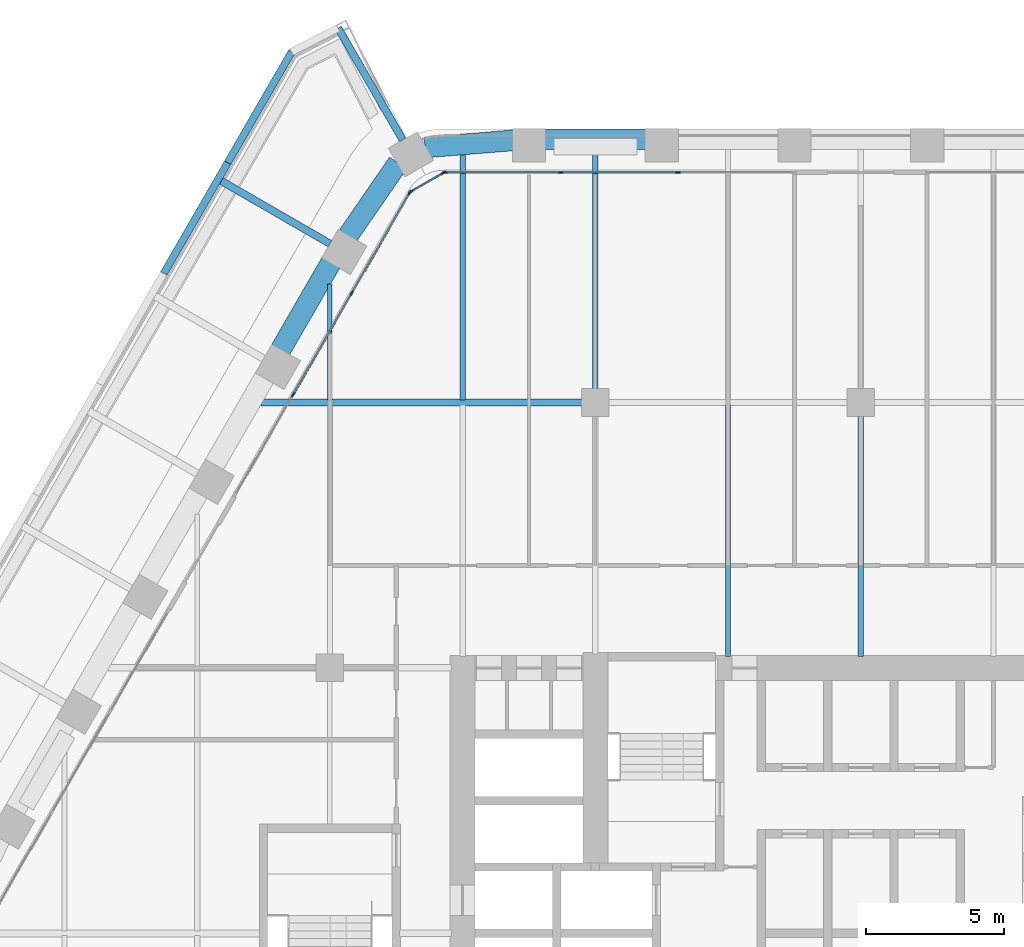
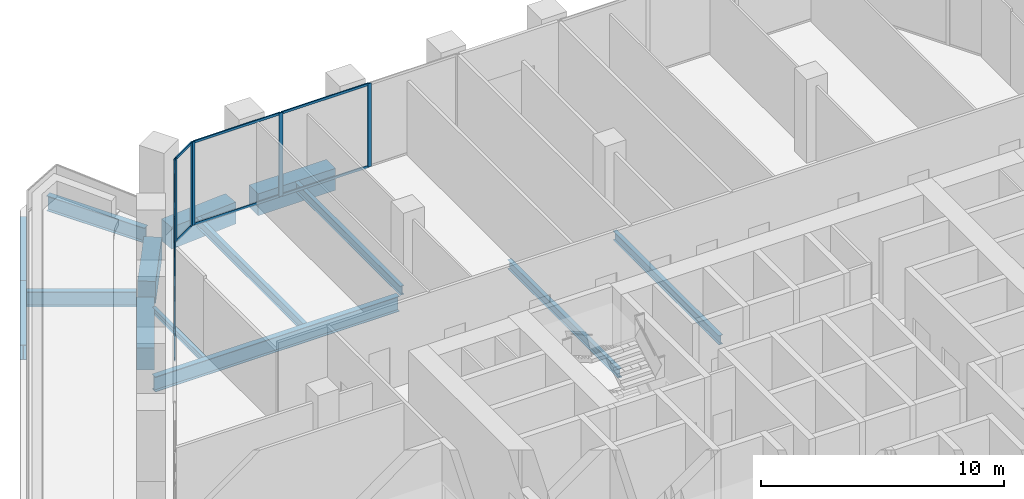
# One storey, part 8 of 27: 18 members, 14 beams, 3 elements without a shape of their own.
"""IFC4 building model written with IfcOpenShell, lengths in metres."""

from ifc_helpers import new_model, si_unit, direction, frame, origin, origin_2d, place, context, subcontext, project, spatial, rectangle, i_section, extrude, material, material_profile, profile_set, type_object, element, aggregate, save


model = new_model("IFC4")

# Units and contexts
model_context = context("Model", 3, precision=1e-05, world=origin(), true_north=direction((0.0, 1.0)))
body_context = subcontext(model_context, "Body", "Model", "MODEL_VIEW")
ifc_project = project(units=[si_unit("LENGTHUNIT", "METRE"), si_unit("AREAUNIT", "SQUARE_METRE"), si_unit("VOLUMEUNIT", "CUBIC_METRE"), si_unit("PLANEANGLEUNIT", "RADIAN"), si_unit("MASSUNIT", "GRAM", prefix="KILO")], contexts=[model_context])

# Site, building, storey
site_placement = place(None, origin())
site = spatial("IfcSite", under=ifc_project, at=site_placement, CompositionType="ELEMENT")
building_placement = place(site_placement, origin())
building = spatial("IfcBuilding", under=site, at=building_placement, Name="Kolab Exchange Tower", CompositionType="ELEMENT")
storey_placement = place(building_placement, frame((0.0, 0.0, 122.89990234375)))
storey = spatial("IfcBuildingStorey", under=building, at=storey_placement, Name="L24", CompositionType="ELEMENT", Elevation=122.89990234375)

# Beams
ifc_material_1 = material(Name="Steel S355", Category="steel")
ifc_material_profile_1 = material_profile(ifc_material_1, i_section(OverallWidth=0.1650390625, OverallDepth=0.31005859375, WebThickness=0.005859375, FlangeThickness=0.009765625, at=origin_2d()), Name="W310X39")
ifc_profile_set_1 = profile_set([ifc_material_profile_1], Name="Steel S355")
beam_type_1 = type_object("IfcBeamType", Name="FLOOR BEAM W310X39", PredefinedType="BEAM", material=ifc_profile_set_1)
beam_1_placement = place(storey_placement, frame((-19.199951171875, 19.29345703125, -0.35498046875), z_axis=(0.0, 1.0, 0.0), x_axis=(-1.0, 0.0, 0.0)))
element("IfcBeam", 1, at=beam_1_placement, inside=storey, type_object=beam_type_1, Name="beam/L24/fr/011", PredefinedType="BEAM", context=body_context, shape_type="SweptSolid", body=[
    extrude(i_section(OverallWidth=0.1650390625, OverallDepth=0.31005859375, WebThickness=0.005859375, FlangeThickness=0.009765625, at=origin_2d()), origin(), (0.0, 0.0, 1.0), 4.18798828125),
])
ifc_material_profile_2 = material_profile(ifc_material_1, i_section(OverallWidth=0.18994140625, OverallDepth=0.45703125, WebThickness=0.009033203125, FlangeThickness=0.014404296875, at=origin_2d()), Name="W460X74")
ifc_profile_set_2 = profile_set([ifc_material_profile_2], Name="Steel S355")
beam_type_2 = type_object("IfcBeamType", Name="FLOOR BEAM W460X74", PredefinedType="BEAM", material=ifc_profile_set_2)
beam_2_placement = place(storey_placement, frame((-14.39990234375, 19.29345703125, -0.428466796875), z_axis=(0.0, 1.0, 0.0), x_axis=(-1.0, 0.0, 0.0)))
element("IfcBeam", 2, at=beam_2_placement, inside=storey, type_object=beam_type_2, Name="beam/L24/fr/015", PredefinedType="BEAM", context=body_context, shape_type="SweptSolid", body=[
    extrude(i_section(OverallWidth=0.18994140625, OverallDepth=0.45703125, WebThickness=0.009033203125, FlangeThickness=0.014404296875, at=origin_2d()), origin(), (0.0, 0.0, 1.0), 8.901123046875),
])
beam_3_placement = place(storey_placement, frame((-9.60009765625, 19.659912109375, -0.428466796875), z_axis=(0.0, 1.0, 0.0), x_axis=(-1.0, 0.0, 0.0)))
element("IfcBeam", 3, at=beam_3_placement, inside=storey, type_object=beam_type_2, Name="beam/L24/fr/019", PredefinedType="BEAM", context=body_context, shape_type="SweptSolid", body=[
    extrude(i_section(OverallWidth=0.18994140625, OverallDepth=0.45703125, WebThickness=0.009033203125, FlangeThickness=0.014404296875, at=origin_2d()), origin(), (0.0, 0.0, 1.0), 8.728515625),
])
beam_4_placement = place(storey_placement, frame((-4.800048828125, 10.010009765625, -0.428466796875), z_axis=(0.0, 1.0, 0.0), x_axis=(-1.0, 0.0, 0.0)))
element("IfcBeam", 4, at=beam_4_placement, inside=storey, type_object=beam_type_2, Name="beam/L24/fr/022", PredefinedType="BEAM", context=body_context, shape_type="SweptSolid", body=[
    extrude(i_section(OverallWidth=0.18994140625, OverallDepth=0.45703125, WebThickness=0.009033203125, FlangeThickness=0.014404296875, at=origin_2d()), origin(), (0.0, 0.0, 1.0), 9.115966796875),
])
beam_5_placement = place(storey_placement, frame((0.0, 10.010009765625, -0.428466796875), z_axis=(0.0, 1.0, 0.0), x_axis=(-1.0, 0.0, 0.0)))
element("IfcBeam", 5, at=beam_5_placement, inside=storey, type_object=beam_type_2, Name="beam/L24/fr/026", PredefinedType="BEAM", context=body_context, shape_type="SweptSolid", body=[
    extrude(i_section(OverallWidth=0.18994140625, OverallDepth=0.45703125, WebThickness=0.009033203125, FlangeThickness=0.014404296875, at=origin_2d()), origin(), (0.0, 0.0, 1.0), 8.72998046875),
])
ifc_material_profile_3 = material_profile(ifc_material_1, i_section(OverallWidth=0.26708984375, OverallDepth=0.761962890625, WebThickness=0.014404296875, FlangeThickness=0.021484375, at=origin_2d()), Name="W760X173")
ifc_profile_set_3 = profile_set([ifc_material_profile_3], Name="Steel S355")
beam_type_3 = type_object("IfcBeamType", Name="FLOOR GIRDER W760X173", PredefinedType="BEAM", material=ifc_profile_set_3)
beam_6_placement = place(storey_placement, frame((-21.688720703125, 19.199951171875, -0.580810546875), z_axis=(1.0, 0.0, 0.0), x_axis=(0.0, 1.0, 0.0)))
element("IfcBeam", 6, at=beam_6_placement, inside=storey, type_object=beam_type_3, Name="beam/L24/gd/004", PredefinedType="BEAM", context=body_context, shape_type="SweptSolid", body=[
    extrude(i_section(OverallWidth=0.26708984375, OverallDepth=0.761962890625, WebThickness=0.014404296875, FlangeThickness=0.021484375, at=origin_2d()), origin(), (0.0, 0.0, 1.0), 11.628662109375),
])
beam_7_placement = place(storey_placement, frame((-19.199951171875, 24.94140625, -0.640869140625), z_axis=(-0.866020560687, 0.500008388397, 0.0), x_axis=(-0.500008388397, -0.866020560687, 0.0)))
element("IfcBeam", 7, at=beam_7_placement, inside=storey, type_object=beam_type_3, Name="beam/L24/ledge/rib-13", PredefinedType="BEAM", context=body_context, shape_type="SweptSolid", body=[
    extrude(i_section(OverallWidth=0.26708984375, OverallDepth=0.761962890625, WebThickness=0.014404296875, FlangeThickness=0.021484375, at=origin_2d()), origin(), (0.0, 0.0, 1.0), 4.533203125),
])
beam_8_placement = place(storey_placement, frame((-16.56787109375, 28.696533203125, -0.640869140625), z_axis=(-0.500004747635, 0.866022662719, 0.0), x_axis=(-0.866022662719, -0.500004747635, 0.0)))
element("IfcBeam", 8, at=beam_8_placement, inside=storey, type_object=beam_type_3, Name="beam/L24/ledge/rib-14", PredefinedType="BEAM", context=body_context, shape_type="SweptSolid", body=[
    extrude(i_section(OverallWidth=0.26708984375, OverallDepth=0.761962890625, WebThickness=0.014404296875, FlangeThickness=0.021484375, at=origin_2d()), origin(), (0.0, 0.0, 1.0), 4.66650390625),
])
beam_9_placement = place(storey_placement, frame((-25.20849609375, 23.867431640625, -0.640869140625), z_axis=(0.500001304485, 0.866024650639, 0.0), x_axis=(-0.866024650639, 0.500001304485, 0.0)))
element("IfcBeam", 9, at=beam_9_placement, inside=storey, type_object=beam_type_3, Name="beam/L24/ledge/edge-15", PredefinedType="BEAM", context=body_context, shape_type="SweptSolid", body=[
    extrude(i_section(OverallWidth=0.26708984375, OverallDepth=0.761962890625, WebThickness=0.014404296875, FlangeThickness=0.021484375, at=origin_2d()), origin(), (0.0, 0.0, 1.0), 4.623046875),
])
beam_10_placement = place(storey_placement, frame((-22.89697265625, 27.87109375, -0.640869140625), z_axis=(0.499978438088, 0.866037852202, 0.0), x_axis=(-0.866037852202, 0.499978438088, 0.0)))
element("IfcBeam", 10, at=beam_10_placement, inside=storey, type_object=beam_type_3, Name="beam/L24/ledge/edge-16", PredefinedType="BEAM", context=body_context, shape_type="SweptSolid", body=[
    extrude(i_section(OverallWidth=0.26708984375, OverallDepth=0.761962890625, WebThickness=0.014404296875, FlangeThickness=0.021484375, at=origin_2d()), origin(), (0.0, 0.0, 1.0), 4.623291015625),
])
ifc_material_2 = material(Name="Concrete C70/85", Category="concrete")
ifc_material_profile_4 = material_profile(ifc_material_2, rectangle(XDim=0.75, YDim=1.10009765625, at=origin_2d()), Name="RC750X1100")
ifc_profile_set_4 = profile_set([ifc_material_profile_4], Name="Concrete C70/85")
beam_type_4 = type_object("IfcBeamType", Name="SPANDREL BEAM 750X1100 C70/85", PredefinedType="BEAM", material=ifc_profile_set_4)
beam_11_placement = place(storey_placement, frame((-15.75830078125, 28.421630859375, -0.75), z_axis=(0.996791038408, 0.080047646748, 0.0), x_axis=(-0.080047646748, 0.996791038408, 0.0)))
element("IfcBeam", 11, at=beam_11_placement, inside=storey, type_object=beam_type_4, Name="beam/L24/sp/F1-01", PredefinedType="BEAM", context=body_context, shape_type="SweptSolid", body=[
    extrude(rectangle(XDim=0.75, YDim=1.10009765625, at=origin_2d()), origin(), (0.0, 0.0, 1.0), 3.20849609375),
])
beam_12_placement = place(storey_placement, frame((-11.43994140625, 28.723388671875, -0.75), z_axis=(1.0, 0.0, 0.0), x_axis=(0.0, 1.0, 0.0)))
element("IfcBeam", 12, at=beam_12_placement, inside=storey, type_object=beam_type_4, Name="beam/L24/sp/F1-02", PredefinedType="BEAM", context=body_context, shape_type="SweptSolid", body=[
    extrude(rectangle(XDim=0.75, YDim=1.10009765625, at=origin_2d()), origin(), (0.0, 0.0, 1.0), 3.679931640625),
])
beam_13_placement = place(storey_placement, frame((-20.995361328125, 21.08203125, -0.75), z_axis=(0.500013413428, 0.866017659399, 0.0), x_axis=(-0.866017659399, 0.500013413428, 0.0)))
element("IfcBeam", 13, at=beam_13_placement, inside=storey, type_object=beam_type_4, Name="beam/L24/sp/F6-06", PredefinedType="BEAM", context=body_context, shape_type="SweptSolid", body=[
    extrude(rectangle(XDim=0.75, YDim=1.10009765625, at=origin_2d()), origin(), (0.0, 0.0, 1.0), 3.68017578125),
])
beam_14_placement = place(storey_placement, frame((-18.55615234375, 25.216552734375, -0.75), z_axis=(0.567661826262, 0.823261836237, 0.0), x_axis=(-0.823261836237, 0.567661826262, 0.0)))
element("IfcBeam", 14, at=beam_14_placement, inside=storey, type_object=beam_type_4, Name="beam/L24/sp/F6-07", PredefinedType="BEAM", context=body_context, shape_type="SweptSolid", body=[
    extrude(rectangle(XDim=0.75, YDim=1.10009765625, at=origin_2d()), origin(), (0.0, 0.0, 1.0), 3.20849609375),
])

# Curtain wall, members
ifc_material_3 = material(Name="Aluminium EN AW-6063 T6", Category="aluminium")
curtain_wall_type = type_object("IfcCurtainWallType", Name="UNITISED LOWER MID ZONE CURTAIN WALL", PredefinedType="NOTDEFINED", material=ifc_material_3)
curtain_wall_1_placement = place(storey_placement, origin())
curtain_wall_1 = element("IfcCurtainWall", 15, at=curtain_wall_1_placement, inside=storey, type_object=curtain_wall_type, Name="cw/L24/F1-1", PredefinedType="NOTDEFINED")
ifc_material_profile_5 = material_profile(ifc_material_3, rectangle(XDim=0.06005859375, YDim=0.179931640625, at=origin_2d()), Name="RECT 60X180")
ifc_profile_set_5 = profile_set([ifc_material_profile_5], Name="Aluminium EN AW-6063 T6")
member_type_1 = type_object("IfcMemberType", Name="UNITISED LOWER MID ZONE MULLION 60 X 180", PredefinedType="MULLION", material=ifc_profile_set_5)
member_1_placement = place(storey_placement, frame((-15.037841796875, 27.5185546875, 0.0), z_axis=(0.0, 0.0, 1.0), x_axis=(0.0, 1.0, 0.0)))
member_1 = element("IfcMember", 16, at=member_1_placement, type_object=member_type_1, Name="CW2 mullion 1", PredefinedType="MULLION", context=body_context, shape_type="SweptSolid", body=[
    extrude(rectangle(XDim=0.06005859375, YDim=0.179931640625, at=origin_2d()), origin(), (0.0, 0.0, 1.0), 4.2001953125),
])
member_2_placement = place(storey_placement, frame((-10.84521484375, 27.5185546875, 0.0), z_axis=(0.0, 0.0, 1.0), x_axis=(0.0, 1.0, 0.0)))
member_2 = element("IfcMember", 17, at=member_2_placement, type_object=member_type_1, Name="CW2 mullion 2", PredefinedType="MULLION", context=body_context, shape_type="SweptSolid", body=[
    extrude(rectangle(XDim=0.06005859375, YDim=0.179931640625, at=origin_2d()), origin(), (0.0, 0.0, 1.0), 4.2001953125),
])
member_3_placement = place(storey_placement, frame((-6.62255859375, 27.5185546875, 0.0), z_axis=(0.0, 0.0, 1.0), x_axis=(0.0, 1.0, 0.0)))
member_3 = element("IfcMember", 18, at=member_3_placement, type_object=member_type_1, Name="CW2 mullion 3", PredefinedType="MULLION", context=body_context, shape_type="SweptSolid", body=[
    extrude(rectangle(XDim=0.06005859375, YDim=0.179931640625, at=origin_2d()), origin(), (0.0, 0.0, 1.0), 4.2001953125),
])

curtain_wall_2_placement = place(storey_placement, origin())
curtain_wall_2 = element("IfcCurtainWall", 19, at=curtain_wall_2_placement, inside=storey, type_object=curtain_wall_type, Name="cw/L24/F6-2", PredefinedType="NOTDEFINED")
member_4_placement = place(storey_placement, frame((-20.520263671875, 19.49462890625, 0.0), z_axis=(0.0, 0.0, 1.0), x_axis=(-0.866025393644, 0.500000017564, 0.0)))
member_4 = element("IfcMember", 20, at=member_4_placement, type_object=member_type_1, Name="CW2 mullion 2", PredefinedType="MULLION", context=body_context, shape_type="SweptSolid", body=[
    extrude(rectangle(XDim=0.06005859375, YDim=0.179931640625, at=origin_2d()), origin(), (0.0, 0.0, 1.0), 4.2001953125),
])
member_5_placement = place(storey_placement, frame((-18.408935546875, 23.151611328125, 0.0), z_axis=(0.0, 0.0, 1.0), x_axis=(-0.866025393644, 0.500000017564, 0.0)))
member_5 = element("IfcMember", 21, at=member_5_placement, type_object=member_type_1, Name="CW2 mullion 3", PredefinedType="MULLION", context=body_context, shape_type="SweptSolid", body=[
    extrude(rectangle(XDim=0.06005859375, YDim=0.179931640625, at=origin_2d()), origin(), (0.0, 0.0, 1.0), 4.2001953125),
])
member_6_placement = place(storey_placement, frame((-16.312744140625, 26.782470703125, 0.0), z_axis=(0.0, 0.0, 1.0), x_axis=(-0.866025393644, 0.500000017564, 0.0)))
member_6 = element("IfcMember", 22, at=member_6_placement, type_object=member_type_1, Name="CW2 mullion 4", PredefinedType="MULLION", context=body_context, shape_type="SweptSolid", body=[
    extrude(rectangle(XDim=0.06005859375, YDim=0.179931640625, at=origin_2d()), origin(), (0.0, 0.0, 1.0), 4.2001953125),
])

curtain_wall_3_placement = place(storey_placement, origin())
curtain_wall_3 = element("IfcCurtainWall", 23, at=curtain_wall_3_placement, inside=storey, type_object=curtain_wall_type, Name="cw/L24/F6F1-corner", PredefinedType="NOTDEFINED")
member_7_placement = place(storey_placement, frame((-16.271728515625, 26.823486328125, 0.0), z_axis=(0.0, 0.0, 1.0), x_axis=(-0.50000002237, 0.866025390869, 0.0)))
member_7 = element("IfcMember", 24, at=member_7_placement, type_object=member_type_1, Name="CW2 mullion 1", PredefinedType="MULLION", context=body_context, shape_type="SweptSolid", body=[
    extrude(rectangle(XDim=0.06005859375, YDim=0.179931640625, at=origin_2d()), origin(), (0.0, 0.0, 1.0), 4.2001953125),
])
member_8_placement = place(storey_placement, frame((-15.093994140625, 27.50341796875, 0.0), z_axis=(0.0, 0.0, 1.0), x_axis=(-0.50000002237, 0.866025390869, 0.0)))
member_8 = element("IfcMember", 25, at=member_8_placement, type_object=member_type_1, Name="CW2 mullion 2", PredefinedType="MULLION", context=body_context, shape_type="SweptSolid", body=[
    extrude(rectangle(XDim=0.06005859375, YDim=0.179931640625, at=origin_2d()), origin(), (0.0, 0.0, 1.0), 4.2001953125),
])

# Member
ifc_material_profile_6 = material_profile(ifc_material_3, rectangle(XDim=0.06005859375, YDim=0.1201171875, at=origin_2d()), Name="RECT 60X120")
ifc_profile_set_6 = profile_set([ifc_material_profile_6], Name="Aluminium EN AW-6063 T6")
member_type_2 = type_object("IfcMemberType", Name="UNITISED LOWER MID ZONE TRANSOM 60 X 120", PredefinedType="USERDEFINED", material=ifc_profile_set_6)
member_9_placement = place(storey_placement, frame((-15.008056640625, 27.5185546875, 0.030029296875), z_axis=(1.0, 0.0, 0.0), x_axis=(0.0, 1.0, 0.0)))
member_9 = element("IfcMember", 26, at=member_9_placement, type_object=member_type_2, Name="CW2 transom 1.1", ObjectType="TRANSOM", PredefinedType="USERDEFINED", context=body_context, shape_type="SweptSolid", body=[
    extrude(rectangle(XDim=0.06005859375, YDim=0.1201171875, at=origin_2d()), origin(), (0.0, 0.0, 1.0), 4.1328125),
])

member_10_placement = place(storey_placement, frame((-15.008056640625, 27.5185546875, 4.170166015625), z_axis=(1.0, 0.0, 0.0), x_axis=(0.0, 1.0, 0.0)))
member_10 = element("IfcMember", 27, at=member_10_placement, type_object=member_type_2, Name="CW2 transom 1.2", ObjectType="TRANSOM", PredefinedType="USERDEFINED", context=body_context, shape_type="SweptSolid", body=[
    extrude(rectangle(XDim=0.06005859375, YDim=0.1201171875, at=origin_2d()), origin(), (0.0, 0.0, 1.0), 4.1328125),
])

member_11_placement = place(storey_placement, frame((-10.815185546875, 27.5185546875, 0.030029296875), z_axis=(1.0, 0.0, 0.0), x_axis=(0.0, 1.0, 0.0)))
member_11 = element("IfcMember", 28, at=member_11_placement, type_object=member_type_2, Name="CW2 transom 2.1", ObjectType="TRANSOM", PredefinedType="USERDEFINED", context=body_context, shape_type="SweptSolid", body=[
    extrude(rectangle(XDim=0.06005859375, YDim=0.1201171875, at=origin_2d()), origin(), (0.0, 0.0, 1.0), 4.16259765625),
])

member_12_placement = place(storey_placement, frame((-10.815185546875, 27.5185546875, 4.170166015625), z_axis=(1.0, 0.0, 0.0), x_axis=(0.0, 1.0, 0.0)))
member_12 = element("IfcMember", 29, at=member_12_placement, type_object=member_type_2, Name="CW2 transom 2.2", ObjectType="TRANSOM", PredefinedType="USERDEFINED", context=body_context, shape_type="SweptSolid", body=[
    extrude(rectangle(XDim=0.06005859375, YDim=0.1201171875, at=origin_2d()), origin(), (0.0, 0.0, 1.0), 4.16259765625),
])

aggregate(curtain_wall_1, [member_1, member_2, member_3, member_9, member_10, member_11, member_12])

member_13_placement = place(storey_placement, frame((-20.50537109375, 19.5205078125, 0.030029296875), z_axis=(0.49999322259, 0.866029316688, 0.0), x_axis=(-0.866029316688, 0.49999322259, 0.0)))
member_13 = element("IfcMember", 30, at=member_13_placement, type_object=member_type_2, Name="CW2 transom 2.1", ObjectType="TRANSOM", PredefinedType="USERDEFINED", context=body_context, shape_type="SweptSolid", body=[
    extrude(rectangle(XDim=0.06005859375, YDim=0.1201171875, at=origin_2d()), origin(), (0.0, 0.0, 1.0), 4.16259765625),
])

member_14_placement = place(storey_placement, frame((-20.50537109375, 19.5205078125, 4.170166015625), z_axis=(0.49999322259, 0.866029316688, 0.0), x_axis=(-0.866029316688, 0.49999322259, 0.0)))
member_14 = element("IfcMember", 31, at=member_14_placement, type_object=member_type_2, Name="CW2 transom 2.2", ObjectType="TRANSOM", PredefinedType="USERDEFINED", context=body_context, shape_type="SweptSolid", body=[
    extrude(rectangle(XDim=0.06005859375, YDim=0.1201171875, at=origin_2d()), origin(), (0.0, 0.0, 1.0), 4.16259765625),
])

member_15_placement = place(storey_placement, frame((-18.39404296875, 23.177490234375, 0.030029296875), z_axis=(0.500001996123, 0.866024251319, 0.0), x_axis=(-0.866024251319, 0.500001996123, 0.0)))
member_15 = element("IfcMember", 32, at=member_15_placement, type_object=member_type_2, Name="CW2 transom 3.1", ObjectType="TRANSOM", PredefinedType="USERDEFINED", context=body_context, shape_type="SweptSolid", body=[
    extrude(rectangle(XDim=0.06005859375, YDim=0.1201171875, at=origin_2d()), origin(), (0.0, 0.0, 1.0), 4.1328125),
])

member_16_placement = place(storey_placement, frame((-18.39404296875, 23.177490234375, 4.170166015625), z_axis=(0.500001996123, 0.866024251319, 0.0), x_axis=(-0.866024251319, 0.500001996123, 0.0)))
member_16 = element("IfcMember", 33, at=member_16_placement, type_object=member_type_2, Name="CW2 transom 3.2", ObjectType="TRANSOM", PredefinedType="USERDEFINED", context=body_context, shape_type="SweptSolid", body=[
    extrude(rectangle(XDim=0.06005859375, YDim=0.1201171875, at=origin_2d()), origin(), (0.0, 0.0, 1.0), 4.1328125),
])

aggregate(curtain_wall_2, [member_4, member_5, member_6, member_13, member_14, member_15, member_16])

member_17_placement = place(storey_placement, frame((-16.245849609375, 26.83837890625, 0.030029296875), z_axis=(0.866004217611, 0.500036693733, 0.0), x_axis=(-0.500036693733, 0.866004217611, 0.0)))
member_17 = element("IfcMember", 34, at=member_17_placement, type_object=member_type_2, Name="CW2 transom 1.1", ObjectType="TRANSOM", PredefinedType="USERDEFINED", context=body_context, shape_type="SweptSolid", body=[
    extrude(rectangle(XDim=0.06005859375, YDim=0.1201171875, at=origin_2d()), origin(), (0.0, 0.0, 1.0), 1.30029296875),
])

member_18_placement = place(storey_placement, frame((-16.245849609375, 26.83837890625, 4.170166015625), z_axis=(0.866004217611, 0.500036693733, 0.0), x_axis=(-0.500036693733, 0.866004217611, 0.0)))
member_18 = element("IfcMember", 35, at=member_18_placement, type_object=member_type_2, Name="CW2 transom 1.2", ObjectType="TRANSOM", PredefinedType="USERDEFINED", context=body_context, shape_type="SweptSolid", body=[
    extrude(rectangle(XDim=0.06005859375, YDim=0.1201171875, at=origin_2d()), origin(), (0.0, 0.0, 1.0), 1.30029296875),
])

aggregate(curtain_wall_3, [member_7, member_8, member_17, member_18])

save(model, "model.ifc")
